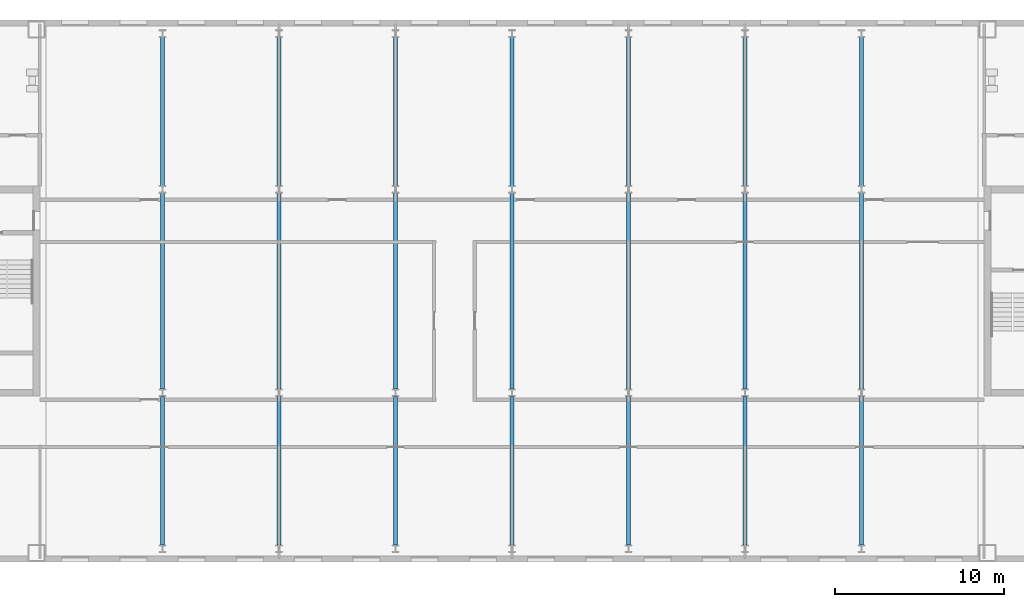
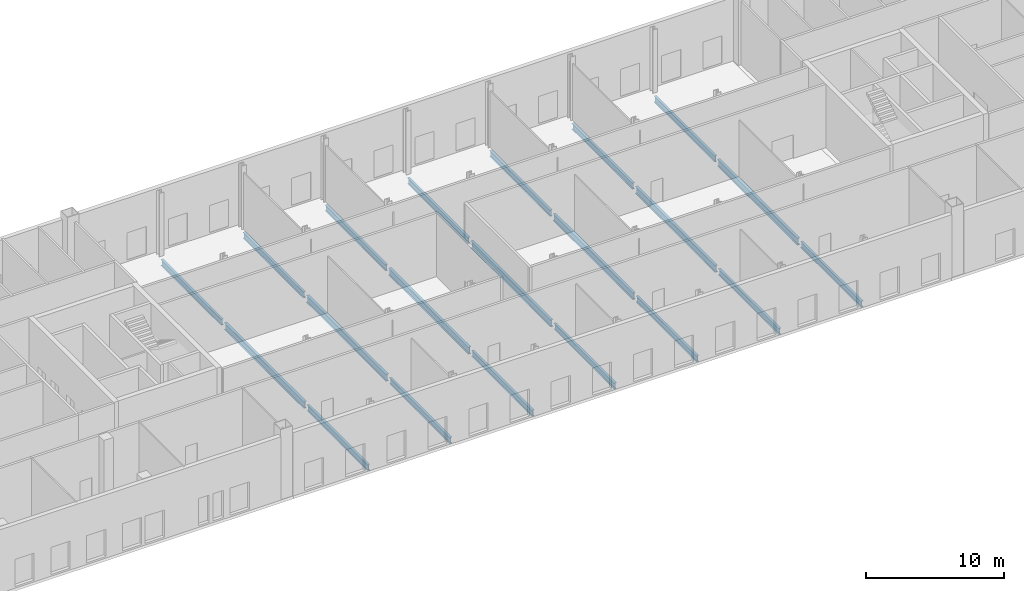
# One storey, part 5 of 20: 21 beams.
"""IFC4 building model written with IfcOpenShell, lengths in metres."""

from ifc_helpers import new_model, si_unit, direction, frame, origin, origin_2d, place, context, subcontext, project, spatial, i_section, extrude, material, material_profile, profile_set, type_object, element, save


model = new_model("IFC4")

# Units and contexts
model_context = context("Model", 3, precision=1e-05, world=origin(), true_north=direction((0.0, 1.0)))
body_context = subcontext(model_context, "Body", "Model", "MODEL_VIEW")
ifc_project = project(units=[si_unit("LENGTHUNIT", "METRE"), si_unit("AREAUNIT", "SQUARE_METRE"), si_unit("VOLUMEUNIT", "CUBIC_METRE"), si_unit("PLANEANGLEUNIT", "RADIAN"), si_unit("MASSUNIT", "GRAM", prefix="KILO")], contexts=[model_context])

# Site, building, storey
site_placement = place(None, origin())
site = spatial("IfcSite", under=ifc_project, at=site_placement, CompositionType="ELEMENT")
building_placement = place(site_placement, origin())
building = spatial("IfcBuilding", under=site, at=building_placement, Name="Tuart Gate Housing", CompositionType="ELEMENT")
storey_placement = place(building_placement, frame((0.0, 0.0, 215.199951171875)))
storey = spatial("IfcBuildingStorey", under=building, at=storey_placement, Name="L61", CompositionType="ELEMENT", Elevation=215.199951171875)

# Beams
ifc_material_1 = material(Name="Steel Grade 350", Category="steel")
ifc_material_profile_1 = material_profile(ifc_material_1, i_section(OverallWidth=0.208984375, OverallDepth=0.532958984375, WebThickness=0.01025390625, FlangeThickness=0.015625, at=origin_2d()), Name="530UB92.4")
ifc_profile_set_1 = profile_set([ifc_material_profile_1], Name="Steel Grade 350")
beam_type_1 = type_object("IfcBeamType", Name="Floor beam 530 UB92.4", PredefinedType="BEAM", material=ifc_profile_set_1)
for number, where, z_axis, x_axis, name in (
    (1, (82.875, 55.014892578125, -0.515869140625), (0.0, 1.0, 0.0), (-1.0, 0.0, 0.0), "Block floor beam L61 bay 1 position 1"),
    (2, (82.875, 76.215087890625, -0.515869140625), (0.0, 1.0, 0.0), (-1.0, 0.0, 0.0), "Block floor beam L61 bay 1 position 3"),
    (3, (89.75, 55.014892578125, -0.515869140625), (0.0, 1.0, 0.0), (-1.0, 0.0, 0.0), "Block floor beam L61 bay 2 position 1"),
    (4, (89.75, 76.215087890625, -0.515869140625), (0.0, 1.0, 0.0), (-1.0, 0.0, 0.0), "Block floor beam L61 bay 2 position 3"),
    (5, (96.625, 55.014892578125, -0.515869140625), (0.0, 1.0, 0.0), (-1.0, 0.0, 0.0), "Block floor beam L61 bay 3 position 1"),
    (6, (96.625, 76.215087890625, -0.515869140625), (0.0, 1.0, 0.0), (-1.0, 0.0, 0.0), "Block floor beam L61 bay 3 position 3"),
    (7, (103.5, 55.014892578125, -0.515869140625), (0.0, 1.0, 0.0), (-1.0, 0.0, 0.0), "Block floor beam L61 bay 4 position 1"),
    (8, (103.5, 76.215087890625, -0.515869140625), (0.0, 1.0, 0.0), (-1.0, 0.0, 0.0), "Block floor beam L61 bay 4 position 3"),
    (9, (110.375, 55.014892578125, -0.515869140625), (0.0, 1.0, 0.0), (-1.0, 0.0, 0.0), "Block floor beam L61 bay 5 position 1"),
    (10, (110.375, 76.215087890625, -0.515869140625), (0.0, 1.0, 0.0), (-1.0, 0.0, 0.0), "Block floor beam L61 bay 5 position 3"),
    (11, (117.25, 55.014892578125, -0.515869140625), (0.0, 1.0, 0.0), (-1.0, 0.0, 0.0), "Block floor beam L61 bay 6 position 1"),
    (12, (117.25, 76.215087890625, -0.515869140625), (0.0, 1.0, 0.0), (-1.0, 0.0, 0.0), "Block floor beam L61 bay 6 position 3"),
    (13, (124.125, 55.014892578125, -0.515869140625), (0.0, 1.0, 0.0), (-1.0, 0.0, 0.0), "Block floor beam L61 bay 7 position 1"),
    (14, (124.125, 76.215087890625, -0.515869140625), (0.0, 1.0, 0.0), (-1.0, 0.0, 0.0), "Block floor beam L61 bay 7 position 3"),
):
    element("IfcBeam", number, at=place(storey_placement, frame(where, z_axis=z_axis, x_axis=x_axis)), inside=storey, type_object=beam_type_1, Name=name, PredefinedType="BEAM", context=body_context, shape_type="SweptSolid", body=[
        extrude(i_section(OverallWidth=0.208984375, OverallDepth=0.532958984375, WebThickness=0.01025390625, FlangeThickness=0.015625, at=origin_2d()), origin(), (0.0, 0.0, 1.0), 8.77001953125),
    ])
ifc_material_2 = material(Name="Steel Grade 350", Category="steel")
ifc_material_profile_2 = material_profile(ifc_material_2, i_section(OverallWidth=0.22900390625, OverallDepth=0.612060546875, WebThickness=0.011962890625, FlangeThickness=0.01953125, at=origin_2d()), Name="610UB125")
ifc_profile_set_2 = profile_set([ifc_material_profile_2], Name="Steel Grade 350")
beam_type_2 = type_object("IfcBeamType", Name="Floor beam 610 UB125", PredefinedType="BEAM", material=ifc_profile_set_2)
for number, where, z_axis, x_axis, name in (
    (15, (82.875, 64.215087890625, -0.555908203125), (0.0, 1.0, 0.0), (-1.0, 0.0, 0.0), "Block floor beam L61 bay 1 position 2"),
    (16, (89.75, 64.215087890625, -0.555908203125), (0.0, 1.0, 0.0), (-1.0, 0.0, 0.0), "Block floor beam L61 bay 2 position 2"),
    (17, (96.625, 64.215087890625, -0.555908203125), (0.0, 1.0, 0.0), (-1.0, 0.0, 0.0), "Block floor beam L61 bay 3 position 2"),
    (18, (103.5, 64.215087890625, -0.555908203125), (0.0, 1.0, 0.0), (-1.0, 0.0, 0.0), "Block floor beam L61 bay 4 position 2"),
    (19, (110.375, 64.215087890625, -0.555908203125), (0.0, 1.0, 0.0), (-1.0, 0.0, 0.0), "Block floor beam L61 bay 5 position 2"),
    (20, (117.25, 64.215087890625, -0.555908203125), (0.0, 1.0, 0.0), (-1.0, 0.0, 0.0), "Block floor beam L61 bay 6 position 2"),
    (21, (124.125, 64.215087890625, -0.555908203125), (0.0, 1.0, 0.0), (-1.0, 0.0, 0.0), "Block floor beam L61 bay 7 position 2"),
):
    element("IfcBeam", number, at=place(storey_placement, frame(where, z_axis=z_axis, x_axis=x_axis)), inside=storey, type_object=beam_type_2, Name=name, PredefinedType="BEAM", context=body_context, shape_type="SweptSolid", body=[
        extrude(i_section(OverallWidth=0.22900390625, OverallDepth=0.612060546875, WebThickness=0.011962890625, FlangeThickness=0.01953125, at=origin_2d()), origin(), (0.0, 0.0, 1.0), 11.56982421875),
    ])

save(model, "model.ifc")
